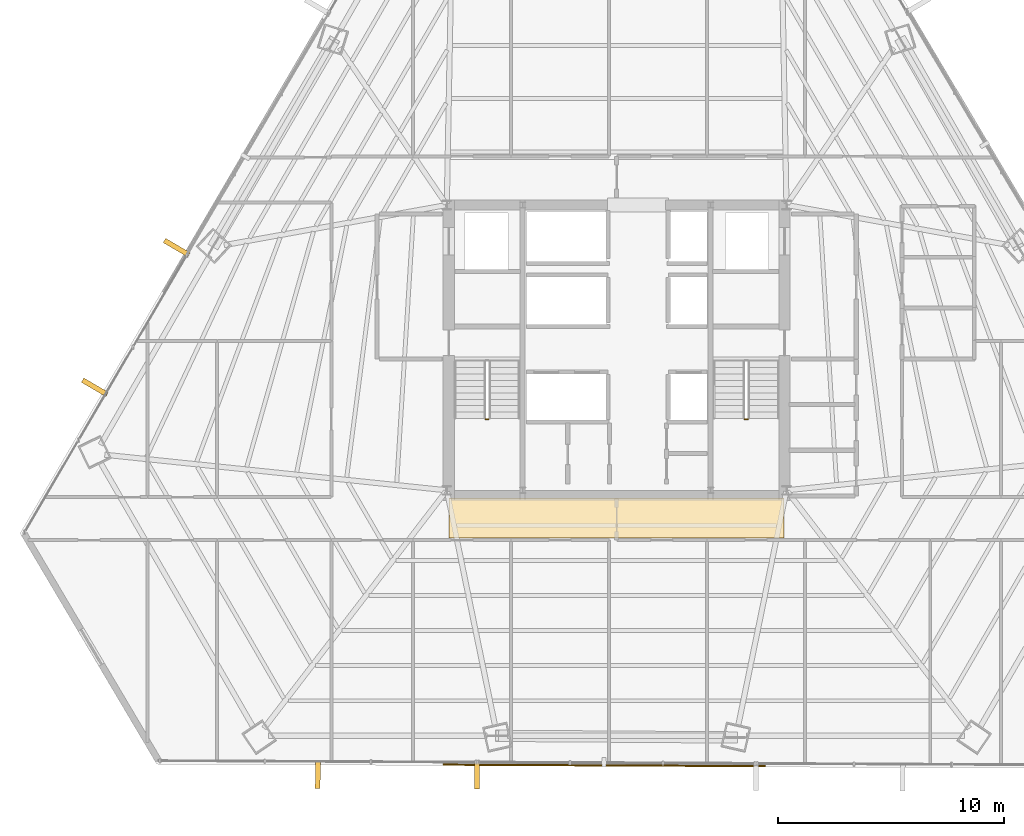
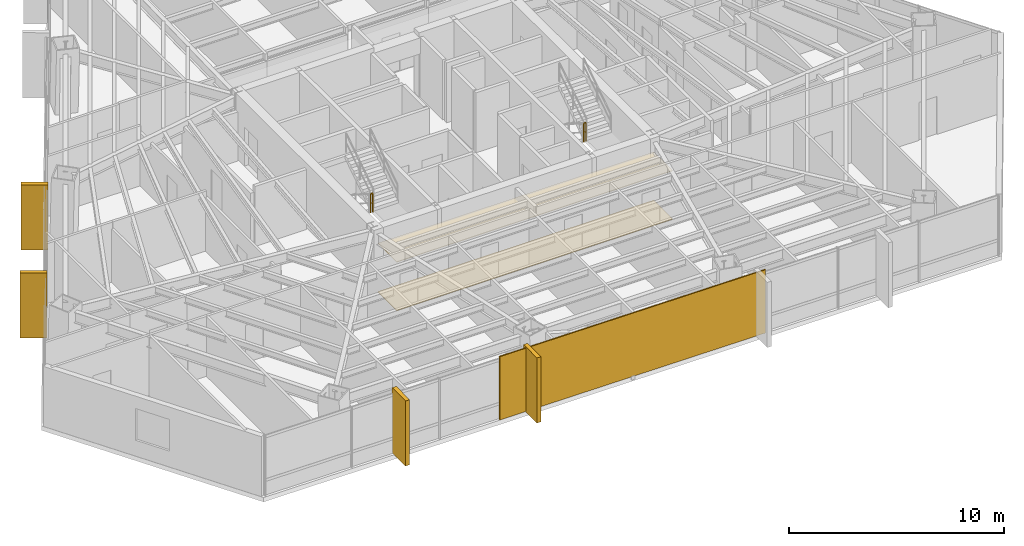
# One storey, part 34 of 36: 6 coverings, 2 railings, 1 shading device.
"""IFC4 building model written with IfcOpenShell, lengths in metres."""

from ifc_helpers import new_model, si_unit, direction, frame, origin, origin_2d, place, context, subcontext, project, spatial, polyline, rectangle, outline, extrude, source, transform, mapped, material, layer, layer_set, type_object, type_shapes, element, save


model = new_model("IFC4")

# Units and contexts
model_context = context("Model", 3, precision=1e-05, world=origin(), true_north=direction((0.0, 1.0)))
body_context = subcontext(model_context, "Body", "Model", "MODEL_VIEW")
ifc_project = project(units=[si_unit("LENGTHUNIT", "METRE"), si_unit("AREAUNIT", "SQUARE_METRE"), si_unit("VOLUMEUNIT", "CUBIC_METRE"), si_unit("PLANEANGLEUNIT", "RADIAN"), si_unit("MASSUNIT", "GRAM", prefix="KILO")], contexts=[model_context])

# Site, building, storey
site_placement = place(None, origin())
site = spatial("IfcSite", under=ifc_project, at=site_placement, CompositionType="ELEMENT")
building_placement = place(site_placement, origin())
building = spatial("IfcBuilding", under=site, at=building_placement, Name="Caelisora Broadcast Tower", CompositionType="ELEMENT")
storey_placement = place(building_placement, frame((0.0, 0.0, 112.699951171875)))
storey = spatial("IfcBuildingStorey", under=building, at=storey_placement, Name="L29", CompositionType="ELEMENT", Elevation=112.699951171875)

# Coverings
ifc_material_1 = material(Name="Perforated Mineral-Fibre Acoustic Ceiling Tile", Category="gypsum")
ifc_layer_1 = layer(ifc_material_1, 0.034912109375, Name="Perforated Mineral-Fibre Acoustic Ceiling Tile")
ifc_layer_set_1 = layer_set([ifc_layer_1], Name="Perforated Mineral-Fibre Acoustic Ceiling Tile")
covering_type_1 = type_object("IfcCoveringType", Name="CE-1", PredefinedType="CEILING", material=ifc_layer_set_1)
covering_1_placement = place(storey_placement, frame((0.0, 0.0, 2.75)))
element("IfcCovering", 1, at=covering_1_placement, inside=storey, type_object=covering_type_1, Name="L29 acoustic corridor ceiling CE-1 (S)", PredefinedType="CEILING", context=body_context, shape_type="SweptSolid", body=[
    extrude(outline(polyline([(30.60009765625, 15.300048828125), (45.39990234375, 15.300048828125), (45.39990234375, 17.050048828125), (30.60009765625, 17.050048828125), (30.60009765625, 15.300048828125)])), origin(), (0.0, 0.0, 1.0), 0.03515625),
])
ifc_material_2 = material(Name="Anti-Static Broadcast Raised Access Floor Panel", Category="steel")
ifc_layer_2 = layer(ifc_material_2, 0.044921875, Name="Anti-Static Broadcast Raised Access Floor Panel")
ifc_layer_set_2 = layer_set([ifc_layer_2], Name="Anti-Static Broadcast Raised Access Floor Panel")
covering_type_2 = type_object("IfcCoveringType", Name="FL-1", PredefinedType="FLOORING", material=ifc_layer_set_2)
covering_2_placement = place(storey_placement, origin())
element("IfcCovering", 2, at=covering_2_placement, inside=storey, type_object=covering_type_2, Name="L29 broadcast raised access floor FL-1 (S)", PredefinedType="FLOORING", context=body_context, shape_type="SweptSolid", body=[
    extrude(outline(polyline([(30.60009765625, 15.300048828125), (45.39990234375, 15.300048828125), (45.39990234375, 17.050048828125), (30.60009765625, 17.050048828125), (30.60009765625, 15.300048828125)])), origin(), (0.0, 0.0, 1.0), 0.045166015625),
])

# Railings
ifc_material_3 = material(Name="Galvanised Steel Safety Guardrail", Category="steel")
ifc_layer_3 = layer(ifc_material_3, 0.048095703125, Name="Galvanised Steel Safety Guardrail")
ifc_layer_set_3 = layer_set([ifc_layer_3], Name="Galvanised Steel Safety Guardrail")
railing_type = type_object("IfcRailingType", Name="GR-1", PredefinedType="GUARDRAIL", material=ifc_layer_set_3)
for number, where, name in (
    (3, (32.219970703125, 20.530029296875, 1.824951171875), "L29 ST-1 stair guard 2"),
    (4, (43.659912109375, 20.530029296875, 1.824951171875), "L29 ST-2 stair guard 2"),
):
    element("IfcRailing", number, at=place(storey_placement, frame(where)), inside=storey, type_object=railing_type, Name=name, PredefinedType="GUARDRAIL", context=body_context, shape_type="SweptSolid", body=[
        extrude(rectangle(XDim=0.048095703125, YDim=0.048095703125, at=origin_2d()), frame((0.0, 0.0, 1.076171875), z_axis=(1.0, 0.0, 0.0), x_axis=(0.0, 1.0, 0.0)), (0.0, 0.0, 1.0), 0.1201171875),
        extrude(rectangle(XDim=0.03125, YDim=0.03125, at=origin_2d()), frame((0.0, 0.0, 0.550048828125), z_axis=(1.0, 0.0, 0.0), x_axis=(0.0, 1.0, 0.0)), (0.0, 0.0, 1.0), 0.1201171875),
        extrude(rectangle(XDim=0.0419921875, YDim=0.0419921875, at=origin_2d()), origin(), (0.0, 0.0, 1.0), 1.052001953125),
        extrude(rectangle(XDim=0.0419921875, YDim=0.0419921875, at=origin_2d()), frame((0.1201171875, 0.0, 0.0)), (0.0, 0.0, 1.0), 1.052001953125),
    ])

# Coverings
ifc_material_4 = material(Name="Kiln-Fired Terracotta Spandrel Rainscreen Cladding", Category="ceramic")
ifc_layer_4 = layer(ifc_material_4, 0.044921875, Name="Kiln-Fired Terracotta Spandrel Rainscreen Cladding")
ifc_layer_set_4 = layer_set([ifc_layer_4], Name="Kiln-Fired Terracotta Spandrel Rainscreen Cladding")
covering_type_3 = type_object("IfcCoveringType", Name="CL-1", PredefinedType="CLADDING", material=ifc_layer_set_4)
shared_shape_1 = source(origin(), body_context, "Body", "SweptSolid", [
    extrude(rectangle(XDim=0.219970703125, YDim=1.25, at=origin_2d()), origin(), (0.0, 0.0, 1.0), 3.68994140625),
])
type_shapes(covering_type_3, [shared_shape_1])
for number, where, z_axis, x_axis, name in (
    (5, (31.832763671875, 4.827880859375, -0.02001953125), (0.0, 0.0, 1.0), (-0.999988896716, 0.004712371539, 0.0), "L29 vertical solar fin cladding #2-3"),
    (6, (24.802490234375, 4.860595703125, -0.02001953125), (0.0, 0.0, 1.0), (-0.999988896716, 0.004712371539, 0.0), "L29 vertical solar fin cladding #2-4"),
    (7, (14.956298828125, 21.948486328125, -0.02001953125), (0.0, 0.0, 1.0), (0.505582083675, 0.862778509623, 0.0), "L29 vertical solar fin cladding #3-1"),
    (8, (18.570068359375, 28.115478515625, -0.02001953125), (0.0, 0.0, 1.0), (0.505582083675, 0.862778509623, 0.0), "L29 vertical solar fin cladding #3-2"),
):
    element("IfcCovering", number, at=place(storey_placement, frame(where, z_axis=z_axis, x_axis=x_axis)), inside=storey, type_object=covering_type_3, Name=name, PredefinedType="CLADDING", context=body_context, shape_type="MappedRepresentation", body=[
        mapped(shared_shape_1, transform((0.0, 0.0, 0.0), scale=1.0)),
    ])

# Shading device
ifc_material_5 = material(Name="Perforated Glazed Terracotta Baguette Solar Screen", Category="ceramic")
ifc_layer_5 = layer(ifc_material_5, 0.06494140625, Name="Perforated Glazed Terracotta Baguette Solar Screen")
ifc_layer_set_5 = layer_set([ifc_layer_5], Name="Perforated Glazed Terracotta Baguette Solar Screen")
shading_device_type = type_object("IfcShadingDeviceType", Name="SS-1", PredefinedType="USERDEFINED", material=ifc_layer_set_5)
shared_shape_2 = source(origin(), body_context, "Body", "SweptSolid", [
    extrude(rectangle(XDim=14.22509765625, YDim=0.06494140625, at=origin_2d()), origin(), (0.0, 0.0, 1.0), 3.590087890625),
])
type_shapes(shading_device_type, [shared_shape_2])
shading_device_placement = place(storey_placement, frame((37.4462890625, 5.251953125, 0.0), z_axis=(0.0, 0.0, 1.0), x_axis=(0.999989703949, -0.004537840481, 0.0)))
element("IfcShadingDevice", 9, at=shading_device_placement, inside=storey, type_object=shading_device_type, Name="L29 perforated terracotta solar screen #2", ObjectType="SOLAR SCREEN", PredefinedType="USERDEFINED", context=body_context, shape_type="MappedRepresentation", body=[
    mapped(shared_shape_2, transform((0.0, 0.0, 0.0), scale=1.0)),
])

save(model, "model.ifc")
